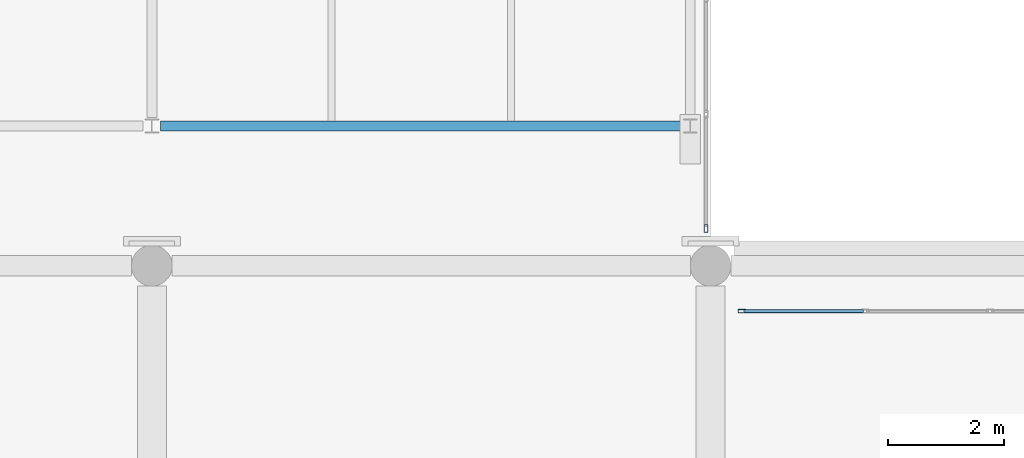
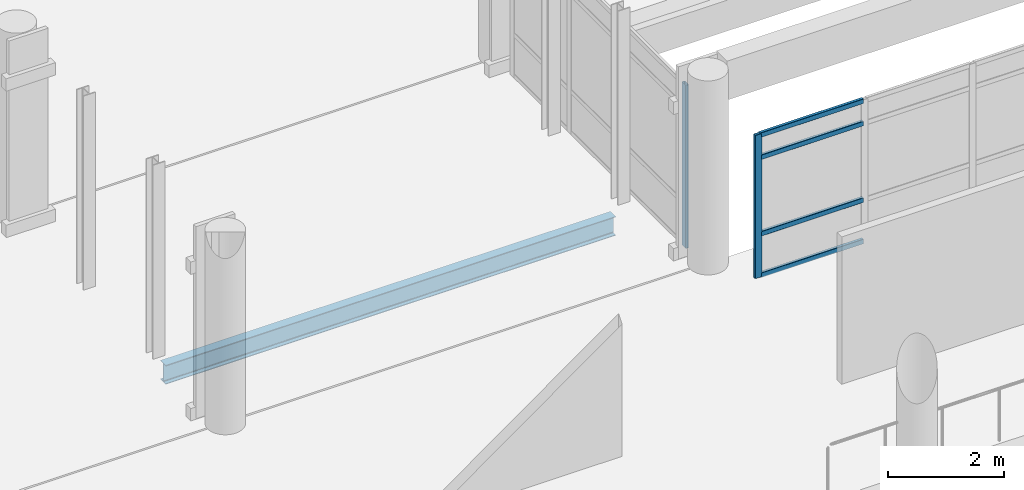
# One storey, part 20 of 180: 6 members, 1 beam, 2 elements without a shape of their own.
"""IFC4 building model written with IfcOpenShell, lengths in metres."""

from ifc_helpers import new_model, si_unit, direction, frame, origin, origin_2d, place, context, subcontext, project, spatial, hollow_rectangle, i_section, extrude, material, layer, layer_set, material_profile, profile_set, type_object, element, aggregate, save


model = new_model("IFC4")

# Units and contexts
model_context = context("Model", 3, precision=1e-05, world=origin(), true_north=direction((0.0, 1.0)))
body_context = subcontext(model_context, "Body", "Model", "MODEL_VIEW")
ifc_project = project(units=[si_unit("LENGTHUNIT", "METRE"), si_unit("AREAUNIT", "SQUARE_METRE"), si_unit("VOLUMEUNIT", "CUBIC_METRE"), si_unit("PLANEANGLEUNIT", "RADIAN"), si_unit("MASSUNIT", "GRAM", prefix="KILO")], contexts=[model_context])

# Site, building, storey
site_placement = place(None, origin())
site = spatial("IfcSite", under=ifc_project, at=site_placement, CompositionType="ELEMENT")
building_placement = place(site_placement, origin())
building = spatial("IfcBuilding", under=site, at=building_placement, Name="Asteropetra Specialist Clinic", CompositionType="ELEMENT")
storey_placement = place(building_placement, frame((0.0, 0.0, 4.419921875)))
storey = spatial("IfcBuildingStorey", under=building, at=storey_placement, Name="L01", CompositionType="ELEMENT", Elevation=4.419921875)

# Beam
ifc_material_1 = material(Name="Steel S355", Category="steel")
ifc_material_profile_1 = material_profile(ifc_material_1, i_section(OverallWidth=0.179931640625, OverallDepth=0.39990234375, WebThickness=0.008544921875, FlangeThickness=0.013427734375, FilletRadius=0.02099609375, at=origin_2d()), Name="IPE 400")
ifc_profile_set_1 = profile_set([ifc_material_profile_1], Name="Steel S355")
beam_type = type_object("IfcBeamType", Name="BM-STL-IPE400", PredefinedType="BEAM", material=ifc_profile_set_1)
beam_placement = place(storey_placement, frame((19.35009765625, 28.800048828125, -0.43994140625), z_axis=(1.0, 0.0, 0.0), x_axis=(0.0, 1.0, 0.0)))
element("IfcBeam", 1, at=beam_placement, inside=storey, type_object=beam_type, Name="Beam BBMS3-0801", PredefinedType="BEAM", context=body_context, shape_type="SweptSolid", body=[
    extrude(i_section(OverallWidth=0.179931640625, OverallDepth=0.39990234375, WebThickness=0.008544921875, FlangeThickness=0.013427734375, FilletRadius=0.02099609375, at=origin_2d()), origin(), (0.0, 0.0, 1.0), 8.949951171875),
])

# Curtain wall, member
ifc_material_2 = material(Name="Aluminium and low-E glass", Category="aluminium")
ifc_layer_1 = layer(ifc_material_2, 0.14990234375)
ifc_layer_set_1 = layer_set([ifc_layer_1], Name="Aluminium and low-E glass")
curtain_wall_type_1 = type_object("IfcCurtainWallType", Name="CW-SYS-08", PredefinedType="USERDEFINED", material=ifc_layer_set_1)
curtain_wall_1_placement = place(storey_placement, origin())
curtain_wall_1 = element("IfcCurtainWall", 2, at=curtain_wall_1_placement, inside=storey, type_object=curtain_wall_type_1, Name="Curtain Wall CW-098", ObjectType="STICK GLAZED COLONNADE", PredefinedType="USERDEFINED")
ifc_material_3 = material(Name="Aluminium 6063-T6", Category="aluminium")
ifc_material_profile_2 = material_profile(ifc_material_3, hollow_rectangle(XDim=0.06005859375, YDim=0.135009765625, WallThickness=0.00341796875, InnerFilletRadius=0.00341796875, OuterFilletRadius=0.007080078125, at=origin_2d()), Name="MUL 135x60x3.5")
ifc_profile_set_2 = profile_set([ifc_material_profile_2], Name="Aluminium 6063-T6")
member_type_1 = type_object("IfcMemberType", Name="CWM-135x60", PredefinedType="MULLION", material=ifc_profile_set_2)
member_1_placement = place(storey_placement, frame((28.719970703125, 27.0400390625, 0.0), z_axis=(0.0, 0.0, 1.0), x_axis=(1.0, 0.0, 0.0)))
member_1 = element("IfcMember", 3, at=member_1_placement, type_object=member_type_1, Name="CW-098 mullion 4", PredefinedType="MULLION", context=body_context, shape_type="SweptSolid", body=[
    extrude(hollow_rectangle(XDim=0.06005859375, YDim=0.135009765625, WallThickness=0.00341796875, InnerFilletRadius=0.00341796875, OuterFilletRadius=0.007080078125, at=origin_2d()), origin(), (0.0, 0.0, 1.0), 3.43017578125),
])
aggregate(curtain_wall_1, [member_1])

# Curtain wall, members
ifc_material_4 = material(Name="Aluminium and low-E glass", Category="aluminium")
ifc_layer_2 = layer(ifc_material_4, 0.135009765625)
ifc_layer_set_2 = layer_set([ifc_layer_2], Name="Aluminium and low-E glass")
curtain_wall_type_2 = type_object("IfcCurtainWallType", Name="CW-SYS-09", PredefinedType="USERDEFINED", material=ifc_layer_set_2)
curtain_wall_2_placement = place(storey_placement, origin())
curtain_wall_2 = element("IfcCurtainWall", 4, at=curtain_wall_2_placement, inside=storey, type_object=curtain_wall_type_2, Name="Curtain Wall CW-137", ObjectType="STICK GLAZED COLONNADE", PredefinedType="USERDEFINED")
member_2_placement = place(storey_placement, frame((29.340087890625, 25.6201171875, 0.0), z_axis=(0.0, 0.0, 1.0), x_axis=(0.0, -1.0, 0.0)))
member_2 = element("IfcMember", 5, at=member_2_placement, type_object=member_type_1, Name="CW-137 mullion 5", PredefinedType="MULLION", context=body_context, shape_type="SweptSolid", body=[
    extrude(hollow_rectangle(XDim=0.06005859375, YDim=0.135009765625, WallThickness=0.00341796875, InnerFilletRadius=0.00341796875, OuterFilletRadius=0.007080078125, at=origin_2d()), origin(), (0.0, 0.0, 1.0), 3.010009765625),
])
ifc_material_5 = material(Name="Aluminium 6063-T6", Category="aluminium")
ifc_material_profile_3 = material_profile(ifc_material_5, hollow_rectangle(XDim=0.06005859375, YDim=0.10009765625, WallThickness=0.00341796875, InnerFilletRadius=0.00341796875, OuterFilletRadius=0.007080078125, at=origin_2d()), Name="TRN 100x60x3.5")
ifc_profile_set_3 = profile_set([ifc_material_profile_3], Name="Aluminium 6063-T6")
member_type_2 = type_object("IfcMemberType", Name="CWT-100x60", PredefinedType="USERDEFINED", material=ifc_profile_set_3)
member_3_placement = place(storey_placement, frame((31.425048828125, 25.6201171875, 0.030029296875), z_axis=(-1.0, 0.0, 0.0), x_axis=(0.0, -1.0, 0.0)))
member_3 = element("IfcMember", 6, at=member_3_placement, type_object=member_type_2, Name="CW-137 transom 4.1", ObjectType="TRANSOM", PredefinedType="USERDEFINED", context=body_context, shape_type="SweptSolid", body=[
    extrude(hollow_rectangle(XDim=0.06005859375, YDim=0.10009765625, WallThickness=0.00341796875, InnerFilletRadius=0.00341796875, OuterFilletRadius=0.007080078125, at=origin_2d()), origin(), (0.0, 0.0, 1.0), 2.054931640625),
])
member_4_placement = place(storey_placement, frame((31.425048828125, 25.6201171875, 0.900146484375), z_axis=(-1.0, 0.0, 0.0), x_axis=(0.0, -1.0, 0.0)))
member_4 = element("IfcMember", 7, at=member_4_placement, type_object=member_type_2, Name="CW-137 transom 4.2", ObjectType="TRANSOM", PredefinedType="USERDEFINED", context=body_context, shape_type="SweptSolid", body=[
    extrude(hollow_rectangle(XDim=0.06005859375, YDim=0.10009765625, WallThickness=0.00341796875, InnerFilletRadius=0.00341796875, OuterFilletRadius=0.007080078125, at=origin_2d()), origin(), (0.0, 0.0, 1.0), 2.054931640625),
])
member_5_placement = place(storey_placement, frame((31.425048828125, 25.6201171875, 2.510009765625), z_axis=(-1.0, 0.0, 0.0), x_axis=(0.0, -1.0, 0.0)))
member_5 = element("IfcMember", 8, at=member_5_placement, type_object=member_type_2, Name="CW-137 transom 4.3", ObjectType="TRANSOM", PredefinedType="USERDEFINED", context=body_context, shape_type="SweptSolid", body=[
    extrude(hollow_rectangle(XDim=0.06005859375, YDim=0.10009765625, WallThickness=0.00341796875, InnerFilletRadius=0.00341796875, OuterFilletRadius=0.007080078125, at=origin_2d()), origin(), (0.0, 0.0, 1.0), 2.054931640625),
])
member_6_placement = place(storey_placement, frame((31.425048828125, 25.6201171875, 2.97998046875), z_axis=(-1.0, 0.0, 0.0), x_axis=(0.0, -1.0, 0.0)))
member_6 = element("IfcMember", 9, at=member_6_placement, type_object=member_type_2, Name="CW-137 transom 4.4", ObjectType="TRANSOM", PredefinedType="USERDEFINED", context=body_context, shape_type="SweptSolid", body=[
    extrude(hollow_rectangle(XDim=0.06005859375, YDim=0.10009765625, WallThickness=0.00341796875, InnerFilletRadius=0.00341796875, OuterFilletRadius=0.007080078125, at=origin_2d()), origin(), (0.0, 0.0, 1.0), 2.054931640625),
])
aggregate(curtain_wall_2, [member_2, member_3, member_4, member_5, member_6])

save(model, "model.ifc")
